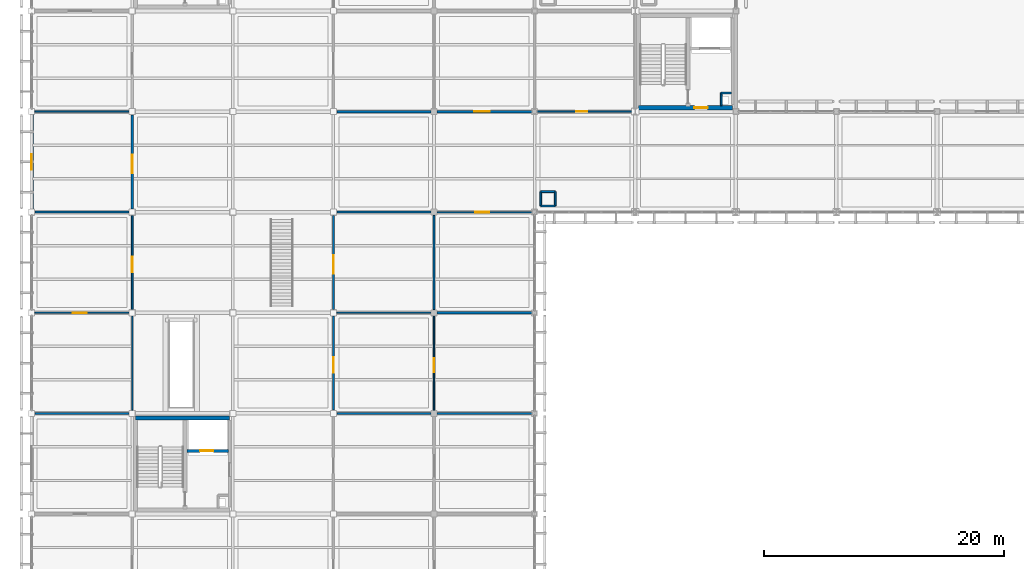
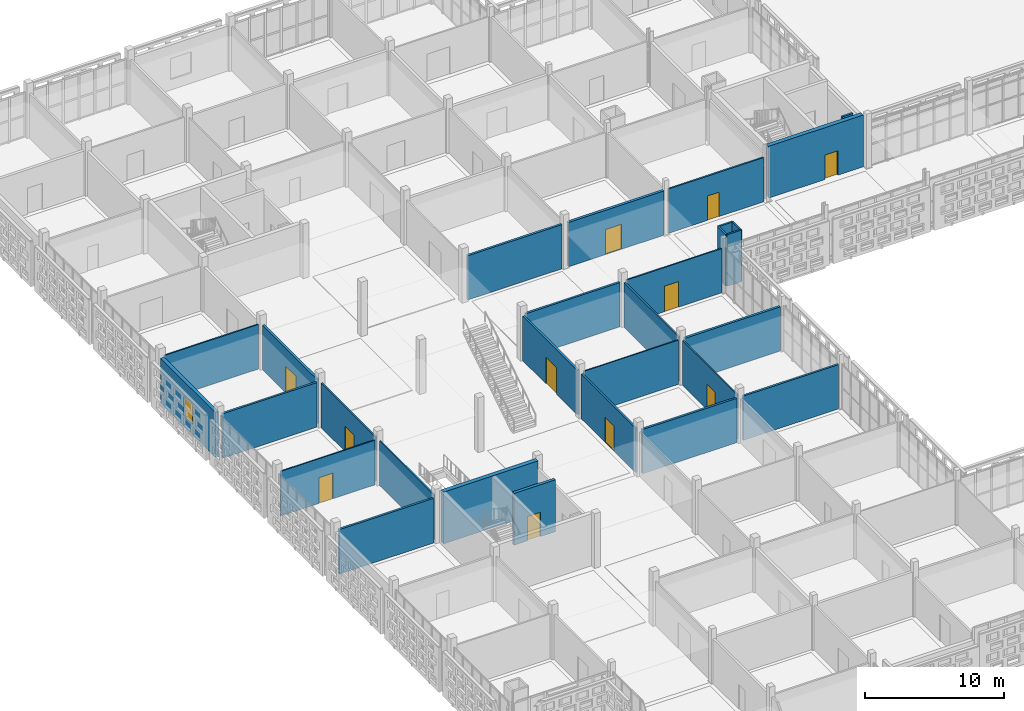
# One storey, part 119 of 203: 30 walls, 11 doors, 1 window, 12 openings.
"""IFC4 building model written with IfcOpenShell, lengths in metres."""

from ifc_helpers import new_model, si_unit, direction, frame, frame_2d, origin, place, context, subcontext, project, spatial, rectangle, extrude, material, layer, layer_set, type_object, element, fill, save


model = new_model("IFC4")

# Units and contexts
model_context = context("Model", 3, precision=1e-05, world=origin(), true_north=direction((0.0, 1.0)))
body_context = subcontext(model_context, "Body", "Model", "MODEL_VIEW")
ifc_project = project(units=[si_unit("LENGTHUNIT", "METRE"), si_unit("AREAUNIT", "SQUARE_METRE"), si_unit("VOLUMEUNIT", "CUBIC_METRE"), si_unit("PLANEANGLEUNIT", "RADIAN"), si_unit("MASSUNIT", "GRAM", prefix="KILO")], contexts=[model_context])

# Site, building, storey
site_placement = place(None, origin())
site = spatial("IfcSite", under=ifc_project, at=site_placement, CompositionType="ELEMENT")
building_placement = place(site_placement, origin())
building = spatial("IfcBuilding", under=site, at=building_placement, Name="Varnapada Polytechnic", CompositionType="ELEMENT")
storey_placement = place(building_placement, frame((0.0, 0.0, 4.800048828125)))
storey = spatial("IfcBuildingStorey", under=building, at=storey_placement, Name="L01", CompositionType="ELEMENT", Elevation=4.800048828125)

# Walls
ifc_material_1 = material(Name="Autoclaved Aerated Concrete Block AAC-600", Category="concrete")
ifc_layer_1 = layer(ifc_material_1, 0.14990234375)
ifc_layer_set_1 = layer_set([ifc_layer_1], Name="Autoclaved Aerated Concrete Block AAC-600")
wall_type_1 = type_object("IfcWallType", Name="Interior Wall IW-02", PredefinedType="PARTITIONING", material=ifc_layer_set_1)
wall_1_placement = place(storey_placement, frame((57.580078125, 93.9599609375, 0.0), z_axis=(0.0, 0.0, 1.0), x_axis=(0.0, -1.0, 0.0)))
element("IfcWall", 1, at=wall_1_placement, inside=storey, type_object=wall_type_1, Name="L01 C4 riser shaft west wall", PredefinedType="PARTITIONING", context=body_context, shape_type="SweptSolid", body=[
    extrude(rectangle(XDim=1.06005859375, YDim=0.14990234375, at=frame_2d((0.530029296875, 0.0))), origin(), (0.0, 0.0, 1.0), 3.919921875),
])
wall_2_placement = place(storey_placement, frame((57.580078125, 93.9599609375, 0.0), z_axis=(0.0, 0.0, 1.0), x_axis=(1.0, 0.0, 0.0)))
element("IfcWall", 2, at=wall_2_placement, inside=storey, type_object=wall_type_1, Name="L01 C4 riser shaft north wall", PredefinedType="PARTITIONING", context=body_context, shape_type="SweptSolid", body=[
    extrude(rectangle(XDim=0.85986328125, YDim=0.14990234375, at=frame_2d((0.429931640625, 0.0))), origin(), (0.0, 0.0, 1.0), 3.919921875),
])
for number, where, z_axis, x_axis, name in (
    (3, (42.52001953125, 84.52001953125, 0.0), (0.0, 0.0, 1.0), (1.0, 0.0, 0.0), "L01 enclosed service riser wall (6,11) S"),
    (4, (43.719970703125, 84.52001953125, 0.0), (0.0, 0.0, 1.0), (0.0, 1.0, 0.0), "L01 enclosed service riser wall (6,11) E"),
    (5, (43.719970703125, 85.719970703125, 0.0), (0.0, 0.0, 1.0), (-1.0, 0.0, 0.0), "L01 enclosed service riser wall (6,11) N"),
    (6, (42.52001953125, 85.719970703125, 0.0), (0.0, 0.0, 1.0), (0.0, -1.0, 0.0), "L01 enclosed service riser wall (6,11) W"),
):
    element("IfcWall", number, at=place(storey_placement, frame(where, z_axis=z_axis, x_axis=x_axis)), inside=storey, type_object=wall_type_1, Name=name, PredefinedType="PARTITIONING", context=body_context, shape_type="SweptSolid", body=[
        extrude(rectangle(XDim=1.199951171875, YDim=0.14990234375, at=frame_2d((0.60009765625, 0.0))), origin(), (0.0, 0.0, 1.0), 4.530029296875),
    ])

# Wall, opening, door
ifc_material_2 = material(Name="Moisture-Resistant Cement Board Partition")
ifc_layer_2 = layer(ifc_material_2, 0.139892578125)
ifc_layer_set_2 = layer_set([ifc_layer_2], Name="Moisture-Resistant Cement Board Partition")
wall_type_2 = type_object("IfcWallType", Name="Interior Wall IW-04", PredefinedType="PARTITIONING", material=ifc_layer_set_2)
wall_3_placement = place(storey_placement, frame((42.18994140625, 92.39990234375, 0.0), z_axis=(0.0, 0.0, 1.0), x_axis=(1.0, 0.0, 0.0)))
wall_3 = element("IfcWall", 7, at=wall_3_placement, inside=storey, type_object=wall_type_2, Name="L01 interior partition IW-L01-05-10-H", PredefinedType="PARTITIONING", context=body_context, shape_type="SweptSolid", body=[
    extrude(rectangle(XDim=7.93994140625, YDim=0.139892578125, at=frame_2d((3.969970703125, 0.0))), origin(), (0.0, 0.0, 1.0), 3.889892578125),
])
opening_1_placement = place(wall_3_placement, frame((3.27490234375, 0.0, 0.0)))
opening_1 = element("IfcOpeningElement", 8, at=opening_1_placement, cuts=wall_3, Name="Opening D-1004", PredefinedType="OPENING", context=body_context, shape_type="SweptSolid", body=[
    extrude(rectangle(XDim=0.949951171875, YDim=2.14990234375, at=frame_2d((0.47509765625, 1.074951171875))), frame((0.0, 0.079833984375, 0.0), z_axis=(0.0, -1.0, 0.0), x_axis=(1.0, 0.0, 0.0)), (0.0, 0.0, 1.0), 0.159912109375),
])
ifc_material_3 = material(Name="Moisture-Resistant HPL Timber", Category="wood")
door_type_1 = type_object("IfcDoorType", Name="Interior Door ID-03", OperationType="NOTDEFINED", PredefinedType="DOOR", material=ifc_material_3)
door_1_placement = place(opening_1_placement, frame((0.949951171875, 0.0, 0.0), z_axis=(0.0, 0.0, 1.0), x_axis=(-1.0, 0.0, 0.0)))
door_1 = element("IfcDoor", 9, at=door_1_placement, inside=storey, type_object=door_type_1, Name="L01 interior room door D-1004", OperationType="SINGLE_SWING_LEFT", OverallHeight=2.14990234375, OverallWidth=0.949951171875, PredefinedType="DOOR", context=body_context, shape_type="SweptSolid", body=[
    extrude(rectangle(XDim=0.949951171875, YDim=2.14990234375, at=frame_2d((0.47509765625, 1.074951171875))), frame((0.0, 0.02490234375, 0.0), z_axis=(0.0, -1.0, 0.0), x_axis=(1.0, 0.0, 0.0)), (0.0, 0.0, 1.0), 0.050048828125),
])
fill(opening_1, door_1)

ifc_material_4 = material(Name="Cross-laminated timber CLT C24", Category="wood")
ifc_layer_3 = layer(ifc_material_4, 0.159912109375)
ifc_layer_set_3 = layer_set([ifc_layer_3], Name="Cross-laminated timber CLT C24")
wall_type_3 = type_object("IfcWallType", Name="Interior Wall IW-05", PredefinedType="PARTITIONING", material=ifc_layer_set_3)
wall_4_placement = place(storey_placement, frame((25.199951171875, 67.47998046875, 0.0), z_axis=(0.0, 0.0, 1.0), x_axis=(0.0, 1.0, 0.0)))
wall_4 = element("IfcWall", 10, at=wall_4_placement, inside=storey, type_object=wall_type_3, Name="L01 interior partition IW-L01-02-08-V", PredefinedType="PARTITIONING", context=body_context, shape_type="SweptSolid", body=[
    extrude(rectangle(XDim=7.840087890625, YDim=0.159912109375, at=frame_2d((3.919921875, 0.0))), origin(), (0.0, 0.0, 1.0), 3.919921875),
])
opening_2_placement = place(wall_4_placement, frame((3.10009765625, 0.0, 0.0)))
opening_2 = element("IfcOpeningElement", 11, at=opening_2_placement, cuts=wall_4, Name="Opening D-978", PredefinedType="OPENING", context=body_context, shape_type="SweptSolid", body=[
    extrude(rectangle(XDim=1.300048828125, YDim=2.199951171875, at=frame_2d((0.64990234375, 1.10009765625))), frame((0.0, 0.08984375, 0.0), z_axis=(0.0, -1.0, 0.0), x_axis=(1.0, 0.0, 0.0)), (0.0, 0.0, 1.0), 0.179931640625),
])
ifc_material_5 = material(Name="Acoustic Laminated Timber Leaf", Category="wood")
door_type_2 = type_object("IfcDoorType", Name="Interior Door ID-11", OperationType="NOTDEFINED", PredefinedType="DOOR", material=ifc_material_5)
door_2_placement = place(opening_2_placement, origin())
door_2 = element("IfcDoor", 12, at=door_2_placement, inside=storey, type_object=door_type_2, Name="L01 interior room door D-978", OperationType="SINGLE_SWING_LEFT", OverallHeight=2.199951171875, OverallWidth=1.300048828125, PredefinedType="DOOR", context=body_context, shape_type="SweptSolid", body=[
    extrude(rectangle(XDim=1.300048828125, YDim=2.199951171875, at=frame_2d((0.64990234375, 1.10009765625))), frame((0.0, 0.02490234375, 0.0), z_axis=(0.0, -1.0, 0.0), x_axis=(1.0, 0.0, 0.0)), (0.0, 0.0, 1.0), 0.050048828125),
])
fill(opening_2, door_2)

# Wall
ifc_material_6 = material(Name="Acoustic Double-Stud Studio Partition")
ifc_layer_4 = layer(ifc_material_6, 0.179931640625)
ifc_layer_set_4 = layer_set([ifc_layer_4], Name="Acoustic Double-Stud Studio Partition")
wall_type_4 = type_object("IfcWallType", Name="Interior Wall IW-06", PredefinedType="PARTITIONING", material=ifc_layer_set_4)
wall_5_placement = place(storey_placement, frame((0.280029296875, 67.199951171875, 0.0), z_axis=(0.0, 0.0, 1.0), x_axis=(1.0, 0.0, 0.0)))
element("IfcWall", 13, at=wall_5_placement, inside=storey, type_object=wall_type_4, Name="L01 interior partition IW-L01-00-07-H", PredefinedType="PARTITIONING", context=body_context, shape_type="SweptSolid", body=[
    extrude(rectangle(XDim=7.840087890625, YDim=0.179931640625, at=frame_2d((3.919921875, 0.0))), origin(), (0.0, 0.0, 1.0), 3.919921875),
])

# Wall, opening, door
wall_6_placement = place(storey_placement, frame((25.199951171875, 75.8798828125, 0.0), z_axis=(0.0, 0.0, 1.0), x_axis=(0.0, 1.0, 0.0)))
wall_6 = element("IfcWall", 14, at=wall_6_placement, inside=storey, type_object=wall_type_4, Name="L01 interior partition IW-L01-02-09-V", PredefinedType="PARTITIONING", context=body_context, shape_type="SweptSolid", body=[
    extrude(rectangle(XDim=7.840087890625, YDim=0.179931640625, at=frame_2d((3.919921875, 0.0))), origin(), (0.0, 0.0, 1.0), 3.919921875),
])
opening_3_placement = place(wall_6_placement, frame((2.97509765625, 0.0, 0.0)))
opening_3 = element("IfcOpeningElement", 15, at=opening_3_placement, cuts=wall_6, Name="Opening D-979", PredefinedType="OPENING", context=body_context, shape_type="SweptSolid", body=[
    extrude(rectangle(XDim=1.550048828125, YDim=2.35009765625, at=frame_2d((0.77490234375, 1.175048828125))), frame((0.0, 0.099853515625, 0.0), z_axis=(0.0, -1.0, 0.0), x_axis=(1.0, 0.0, 0.0)), (0.0, 0.0, 1.0), 0.199951171875),
])
ifc_material_7 = material(Name="Galvanized Steel Z275", Category="steel")
door_type_3 = type_object("IfcDoorType", Name="Interior Door ID-12", OperationType="NOTDEFINED", PredefinedType="DOOR", material=ifc_material_7)
door_3_placement = place(opening_3_placement, origin())
door_3 = element("IfcDoor", 16, at=door_3_placement, inside=storey, type_object=door_type_3, Name="L01 interior room door D-979", OperationType="SINGLE_SWING_RIGHT", OverallHeight=2.35009765625, OverallWidth=1.550048828125, PredefinedType="DOOR", context=body_context, shape_type="SweptSolid", body=[
    extrude(rectangle(XDim=1.550048828125, YDim=2.35009765625, at=frame_2d((0.77490234375, 1.175048828125))), frame((0.0, 0.02490234375, 0.0), z_axis=(0.0, -1.0, 0.0), x_axis=(1.0, 0.0, 0.0)), (0.0, 0.0, 1.0), 0.050048828125),
])
fill(opening_3, door_3)

# Walls
wall_7_placement = place(storey_placement, frame((25.47998046875, 67.199951171875, 0.0), z_axis=(0.0, 0.0, 1.0), x_axis=(1.0, 0.0, 0.0)))
element("IfcWall", 17, at=wall_7_placement, inside=storey, type_object=wall_type_4, Name="L01 interior partition IW-L01-03-07-H", PredefinedType="PARTITIONING", context=body_context, shape_type="SweptSolid", body=[
    extrude(rectangle(XDim=7.85009765625, YDim=0.179931640625, at=frame_2d((3.925048828125, 0.0))), origin(), (0.0, 0.0, 1.0), 3.889892578125),
])
ifc_material_8 = material(Name="Glazed Timber-Framed Studio Screen", Category="wood")
ifc_layer_5 = layer(ifc_material_8, 0.110107421875)
ifc_layer_set_5 = layer_set([ifc_layer_5], Name="Glazed Timber-Framed Studio Screen")
wall_type_5 = type_object("IfcWallType", Name="Interior Wall IW-07", PredefinedType="PARTITIONING", material=ifc_layer_set_5)
wall_8_placement = place(storey_placement, frame((8.39990234375, 67.47998046875, 0.0), z_axis=(0.0, 0.0, 1.0), x_axis=(0.0, 1.0, 0.0)))
element("IfcWall", 18, at=wall_8_placement, inside=storey, type_object=wall_type_5, Name="L01 interior partition IW-L01-00-08-V", PredefinedType="PARTITIONING", context=body_context, shape_type="SweptSolid", body=[
    extrude(rectangle(XDim=7.840087890625, YDim=0.110107421875, at=frame_2d((3.919921875, 0.0))), origin(), (0.0, 0.0, 1.0), 3.919921875),
])

# Wall, opening, door
wall_9_placement = place(storey_placement, frame((33.60009765625, 67.469970703125, 0.0), z_axis=(0.0, 0.0, 1.0), x_axis=(0.0, 1.0, 0.0)))
wall_9 = element("IfcWall", 19, at=wall_9_placement, inside=storey, type_object=wall_type_5, Name="L01 interior partition IW-L01-03-08-V", PredefinedType="PARTITIONING", context=body_context, shape_type="SweptSolid", body=[
    extrude(rectangle(XDim=7.8701171875, YDim=0.110107421875, at=frame_2d((3.93505859375, 0.0))), origin(), (0.0, 0.0, 1.0), 3.919921875),
])
opening_4_placement = place(wall_9_placement, frame((3.14990234375, 0.0, 0.0)))
opening_4 = element("IfcOpeningElement", 20, at=opening_4_placement, cuts=wall_9, Name="Opening D-989", PredefinedType="OPENING", context=body_context, shape_type="SweptSolid", body=[
    extrude(rectangle(XDim=1.199951171875, YDim=2.199951171875, at=frame_2d((0.60009765625, 1.10009765625))), frame((0.0, 0.06494140625, 0.0), z_axis=(0.0, -1.0, 0.0), x_axis=(1.0, 0.0, 0.0)), (0.0, 0.0, 1.0), 0.130126953125),
])
ifc_material_9 = material(Name="Solid Teak Hardwood Timber", Category="wood")
door_type_4 = type_object("IfcDoorType", Name="Interior Door ID-05", OperationType="NOTDEFINED", PredefinedType="DOOR", material=ifc_material_9)
door_4_placement = place(opening_4_placement, frame((1.199951171875, 0.0, 0.0), z_axis=(0.0, 0.0, 1.0), x_axis=(-1.0, 0.0, 0.0)))
door_4 = element("IfcDoor", 21, at=door_4_placement, inside=storey, type_object=door_type_4, Name="L01 interior room door D-989", OperationType="SINGLE_SWING_RIGHT", OverallHeight=2.199951171875, OverallWidth=1.199951171875, PredefinedType="DOOR", context=body_context, shape_type="SweptSolid", body=[
    extrude(rectangle(XDim=1.199951171875, YDim=2.199951171875, at=frame_2d((0.60009765625, 1.10009765625))), frame((0.0, 0.02490234375, 0.0), z_axis=(0.0, -1.0, 0.0), x_axis=(1.0, 0.0, 0.0)), (0.0, 0.0, 1.0), 0.050048828125),
])
fill(opening_4, door_4)

ifc_material_10 = material(Name="Operable Acoustic Seminar Partition")
ifc_layer_6 = layer(ifc_material_10, 0.10009765625)
ifc_layer_set_6 = layer_set([ifc_layer_6], Name="Operable Acoustic Seminar Partition")
wall_type_6 = type_object("IfcWallType", Name="Interior Wall IW-08", PredefinedType="MOVABLE", material=ifc_layer_set_6)
wall_10_placement = place(storey_placement, frame((0.280029296875, 75.60009765625, 0.0), z_axis=(0.0, 0.0, 1.0), x_axis=(1.0, 0.0, 0.0)))
wall_10 = element("IfcWall", 22, at=wall_10_placement, inside=storey, type_object=wall_type_6, Name="L01 interior partition IW-L01-00-08-H", PredefinedType="MOVABLE", context=body_context, shape_type="SweptSolid", body=[
    extrude(rectangle(XDim=7.840087890625, YDim=0.10009765625, at=frame_2d((3.919921875, 0.0))), origin(), (0.0, 0.0, 1.0), 3.919921875),
])
opening_5_placement = place(wall_10_placement, frame((3.175048828125, 0.0, 0.0)))
opening_5 = element("IfcOpeningElement", 23, at=opening_5_placement, cuts=wall_10, Name="Opening D-960", PredefinedType="OPENING", context=body_context, shape_type="SweptSolid", body=[
    extrude(rectangle(XDim=1.14990234375, YDim=2.25, at=frame_2d((0.574951171875, 1.125))), frame((0.0, 0.06005859375, 0.0), z_axis=(0.0, -1.0, 0.0), x_axis=(1.0, 0.0, 0.0)), (0.0, 0.0, 1.0), 0.1201171875),
])
ifc_material_11 = material(Name="Powder-Coated Aluminium 6063-T6", Category="aluminium")
door_type_5 = type_object("IfcDoorType", Name="Interior Door ID-10", OperationType="NOTDEFINED", PredefinedType="DOOR", material=ifc_material_11)
door_5_placement = place(opening_5_placement, origin())
door_5 = element("IfcDoor", 24, at=door_5_placement, inside=storey, type_object=door_type_5, Name="L01 interior room door D-960", OperationType="SINGLE_SWING_LEFT", OverallHeight=2.25, OverallWidth=1.14990234375, PredefinedType="DOOR", context=body_context, shape_type="SweptSolid", body=[
    extrude(rectangle(XDim=1.14990234375, YDim=2.25, at=frame_2d((0.574951171875, 1.125))), frame((0.0, 0.02490234375, 0.0), z_axis=(0.0, -1.0, 0.0), x_axis=(1.0, 0.0, 0.0)), (0.0, 0.0, 1.0), 0.050048828125),
])
fill(opening_5, door_5)

# Wall
wall_11_placement = place(storey_placement, frame((25.47998046875, 75.60009765625, 0.0), z_axis=(0.0, 0.0, 1.0), x_axis=(1.0, 0.0, 0.0)))
element("IfcWall", 25, at=wall_11_placement, inside=storey, type_object=wall_type_6, Name="L01 interior partition IW-L01-03-08-H", PredefinedType="MOVABLE", context=body_context, shape_type="SweptSolid", body=[
    extrude(rectangle(XDim=7.860107421875, YDim=0.10009765625, at=frame_2d((3.93017578125, 0.0))), origin(), (0.0, 0.0, 1.0), 3.889892578125),
])

# Wall, opening, door
ifc_material_12 = material(Name="Calcium Silicate Acoustic Lab Partition")
ifc_layer_7 = layer(ifc_material_12, 0.135009765625)
ifc_layer_set_7 = layer_set([ifc_layer_7], Name="Calcium Silicate Acoustic Lab Partition")
wall_type_7 = type_object("IfcWallType", Name="Interior Wall IW-09", PredefinedType="PARTITIONING", material=ifc_layer_set_7)
wall_12_placement = place(storey_placement, frame((8.39990234375, 75.8798828125, 0.0), z_axis=(0.0, 0.0, 1.0), x_axis=(0.0, 1.0, 0.0)))
wall_12 = element("IfcWall", 26, at=wall_12_placement, inside=storey, type_object=wall_type_7, Name="L01 interior partition IW-L01-00-09-V", PredefinedType="PARTITIONING", context=body_context, shape_type="SweptSolid", body=[
    extrude(rectangle(XDim=7.840087890625, YDim=0.135009765625, at=frame_2d((3.919921875, 0.0))), origin(), (0.0, 0.0, 1.0), 3.919921875),
])
opening_6_placement = place(wall_12_placement, frame((3.10009765625, 0.0, 0.0)))
opening_6 = element("IfcOpeningElement", 27, at=opening_6_placement, cuts=wall_12, Name="Opening D-961", PredefinedType="OPENING", context=body_context, shape_type="SweptSolid", body=[
    extrude(rectangle(XDim=1.300048828125, YDim=2.199951171875, at=frame_2d((0.64990234375, 1.10009765625))), frame((0.0, 0.077392578125, 0.0), z_axis=(0.0, -1.0, 0.0), x_axis=(1.0, 0.0, 0.0)), (0.0, 0.0, 1.0), 0.155029296875),
])
door_6_placement = place(opening_6_placement, origin())
door_6 = element("IfcDoor", 28, at=door_6_placement, inside=storey, type_object=door_type_2, Name="L01 interior room door D-961", OperationType="SINGLE_SWING_RIGHT", OverallHeight=2.199951171875, OverallWidth=1.300048828125, PredefinedType="DOOR", context=body_context, shape_type="SweptSolid", body=[
    extrude(rectangle(XDim=1.300048828125, YDim=2.199951171875, at=frame_2d((0.64990234375, 1.10009765625))), frame((0.0, 0.02490234375, 0.0), z_axis=(0.0, -1.0, 0.0), x_axis=(1.0, 0.0, 0.0)), (0.0, 0.0, 1.0), 0.050048828125),
])
fill(opening_6, door_6)

# Walls
wall_13_placement = place(storey_placement, frame((33.60009765625, 75.860107421875, 0.0), z_axis=(0.0, 0.0, 1.0), x_axis=(0.0, 1.0, 0.0)))
element("IfcWall", 29, at=wall_13_placement, inside=storey, type_object=wall_type_7, Name="L01 interior partition IW-L01-03-09-V", PredefinedType="PARTITIONING", context=body_context, shape_type="SweptSolid", body=[
    extrude(rectangle(XDim=7.869873046875, YDim=0.135009765625, at=frame_2d((3.93505859375, 0.0))), origin(), (0.0, 0.0, 1.0), 3.919921875),
])
ifc_material_13 = material(Name="Double-Layer Fireboard Workshop Wall")
ifc_layer_8 = layer(ifc_material_13, 0.169921875)
ifc_layer_set_8 = layer_set([ifc_layer_8], Name="Double-Layer Fireboard Workshop Wall")
wall_type_8 = type_object("IfcWallType", Name="Interior Wall IW-10", PredefinedType="PARTITIONING", material=ifc_layer_set_8)
wall_14_placement = place(storey_placement, frame((0.280029296875, 84.0, 0.0), z_axis=(0.0, 0.0, 1.0), x_axis=(1.0, 0.0, 0.0)))
element("IfcWall", 30, at=wall_14_placement, inside=storey, type_object=wall_type_8, Name="L01 interior partition IW-L01-00-09-H", PredefinedType="PARTITIONING", context=body_context, shape_type="SweptSolid", body=[
    extrude(rectangle(XDim=7.840087890625, YDim=0.169921875, at=frame_2d((3.919921875, 0.0))), origin(), (0.0, 0.0, 1.0), 3.919921875),
])
wall_15_placement = place(storey_placement, frame((25.47998046875, 84.0, 0.0), z_axis=(0.0, 0.0, 1.0), x_axis=(1.0, 0.0, 0.0)))
element("IfcWall", 31, at=wall_15_placement, inside=storey, type_object=wall_type_8, Name="L01 interior partition IW-L01-03-09-H", PredefinedType="PARTITIONING", context=body_context, shape_type="SweptSolid", body=[
    extrude(rectangle(XDim=7.85009765625, YDim=0.169921875, at=frame_2d((3.925048828125, 0.0))), origin(), (0.0, 0.0, 1.0), 3.889892578125),
])
wall_16_placement = place(storey_placement, frame((33.8701171875, 67.199951171875, 0.0), z_axis=(0.0, 0.0, 1.0), x_axis=(1.0, 0.0, 0.0)))
element("IfcWall", 32, at=wall_16_placement, inside=storey, type_object=wall_type_8, Name="L01 interior partition IW-L01-04-07-H", PredefinedType="PARTITIONING", context=body_context, shape_type="SweptSolid", body=[
    extrude(rectangle(XDim=7.929931640625, YDim=0.169921875, at=frame_2d((3.96484375, 0.0))), origin(), (0.0, 0.0, 1.0), 3.889892578125),
])

# Wall, opening, door
ifc_material_14 = material(Name="Insulated Masonry Plant Room Wall", Category="masonry")
ifc_layer_9 = layer(ifc_material_14, 0.18994140625)
ifc_layer_set_9 = layer_set([ifc_layer_9], Name="Insulated Masonry Plant Room Wall")
wall_type_9 = type_object("IfcWallType", Name="Interior Wall IW-11", PredefinedType="PARTITIONING", material=ifc_layer_set_9)
wall_17_placement = place(storey_placement, frame((8.39990234375, 84.280029296875, 0.0), z_axis=(0.0, 0.0, 1.0), x_axis=(0.0, 1.0, 0.0)))
wall_17 = element("IfcWall", 33, at=wall_17_placement, inside=storey, type_object=wall_type_9, Name="L01 interior partition IW-L01-00-10-V", PredefinedType="PARTITIONING", context=body_context, shape_type="SweptSolid", body=[
    extrude(rectangle(XDim=7.840087890625, YDim=0.18994140625, at=frame_2d((3.919921875, 0.0))), origin(), (0.0, 0.0, 1.0), 3.919921875),
])
opening_7_placement = place(wall_17_placement, frame((2.97509765625, 0.0, 0.0)))
opening_7 = element("IfcOpeningElement", 34, at=opening_7_placement, cuts=wall_17, Name="Opening D-962", PredefinedType="OPENING", context=body_context, shape_type="SweptSolid", body=[
    extrude(rectangle(XDim=1.550048828125, YDim=2.35009765625, at=frame_2d((0.77490234375, 1.175048828125))), frame((0.0, 0.10498046875, 0.0), z_axis=(0.0, -1.0, 0.0), x_axis=(1.0, 0.0, 0.0)), (0.0, 0.0, 1.0), 0.2099609375),
])
door_7_placement = place(opening_7_placement, frame((1.550048828125, 0.0, 0.0), z_axis=(0.0, 0.0, 1.0), x_axis=(-1.0, 0.0, 0.0)))
door_7 = element("IfcDoor", 35, at=door_7_placement, inside=storey, type_object=door_type_3, Name="L01 interior room door D-962", OperationType="SINGLE_SWING_LEFT", OverallHeight=2.35009765625, OverallWidth=1.550048828125, PredefinedType="DOOR", context=body_context, shape_type="SweptSolid", body=[
    extrude(rectangle(XDim=1.550048828125, YDim=2.35009765625, at=frame_2d((0.77490234375, 1.175048828125))), frame((0.0, 0.02490234375, 0.0), z_axis=(0.0, -1.0, 0.0), x_axis=(1.0, 0.0, 0.0)), (0.0, 0.0, 1.0), 0.050048828125),
])
fill(opening_7, door_7)

# Walls
wall_18_placement = place(storey_placement, frame((25.47998046875, 92.39990234375, 0.0), z_axis=(0.0, 0.0, 1.0), x_axis=(1.0, 0.0, 0.0)))
element("IfcWall", 36, at=wall_18_placement, inside=storey, type_object=wall_type_9, Name="L01 interior partition IW-L01-03-10-H", PredefinedType="PARTITIONING", context=body_context, shape_type="SweptSolid", body=[
    extrude(rectangle(XDim=7.860107421875, YDim=0.18994140625, at=frame_2d((3.93017578125, 0.0))), origin(), (0.0, 0.0, 1.0), 3.889892578125),
])
wall_19_placement = place(storey_placement, frame((33.860107421875, 75.60009765625, 0.0), z_axis=(0.0, 0.0, 1.0), x_axis=(1.0, 0.0, 0.0)))
element("IfcWall", 37, at=wall_19_placement, inside=storey, type_object=wall_type_9, Name="L01 interior partition IW-L01-04-08-H", PredefinedType="PARTITIONING", context=body_context, shape_type="SweptSolid", body=[
    extrude(rectangle(XDim=7.949951171875, YDim=0.18994140625, at=frame_2d((3.97509765625, 0.0))), origin(), (0.0, 0.0, 1.0), 3.889892578125),
])
ifc_material_15 = material(Name="Timber-Stud Studio Critique Partition", Category="wood")
ifc_layer_10 = layer(ifc_material_15, 0.114990234375)
ifc_layer_set_10 = layer_set([ifc_layer_10], Name="Timber-Stud Studio Critique Partition")
wall_type_10 = type_object("IfcWallType", Name="Interior Wall IW-12", PredefinedType="PARTITIONING", material=ifc_layer_set_10)
wall_20_placement = place(storey_placement, frame((0.280029296875, 92.39990234375, 0.0), z_axis=(0.0, 0.0, 1.0), x_axis=(1.0, 0.0, 0.0)))
element("IfcWall", 38, at=wall_20_placement, inside=storey, type_object=wall_type_10, Name="L01 interior partition IW-L01-00-10-H", PredefinedType="PARTITIONING", context=body_context, shape_type="SweptSolid", body=[
    extrude(rectangle(XDim=7.840087890625, YDim=0.114990234375, at=frame_2d((3.919921875, 0.0))), origin(), (0.0, 0.0, 1.0), 3.919921875),
])

# Wall, opening, door
wall_21_placement = place(storey_placement, frame((33.8701171875, 84.0, 0.0), z_axis=(0.0, 0.0, 1.0), x_axis=(1.0, 0.0, 0.0)))
wall_21 = element("IfcWall", 39, at=wall_21_placement, inside=storey, type_object=wall_type_10, Name="L01 interior partition IW-L01-04-09-H", PredefinedType="PARTITIONING", context=body_context, shape_type="SweptSolid", body=[
    extrude(rectangle(XDim=7.929931640625, YDim=0.114990234375, at=frame_2d((3.96484375, 0.0))), origin(), (0.0, 0.0, 1.0), 3.889892578125),
])
opening_8_placement = place(wall_21_placement, frame((3.175048828125, 0.0, 0.0)))
opening_8 = element("IfcOpeningElement", 40, at=opening_8_placement, cuts=wall_21, Name="Opening D-994", PredefinedType="OPENING", context=body_context, shape_type="SweptSolid", body=[
    extrude(rectangle(XDim=1.14990234375, YDim=2.25, at=frame_2d((0.574951171875, 1.125))), frame((0.0, 0.0673828125, 0.0), z_axis=(0.0, -1.0, 0.0), x_axis=(1.0, 0.0, 0.0)), (0.0, 0.0, 1.0), 0.135009765625),
])
door_8_placement = place(opening_8_placement, origin())
door_8 = element("IfcDoor", 41, at=door_8_placement, inside=storey, type_object=door_type_5, Name="L01 interior room door D-994", OperationType="SINGLE_SWING_LEFT", OverallHeight=2.25, OverallWidth=1.14990234375, PredefinedType="DOOR", context=body_context, shape_type="SweptSolid", body=[
    extrude(rectangle(XDim=1.14990234375, YDim=2.25, at=frame_2d((0.574951171875, 1.125))), frame((0.0, 0.02490234375, 0.0), z_axis=(0.0, -1.0, 0.0), x_axis=(1.0, 0.0, 0.0)), (0.0, 0.0, 1.0), 0.050048828125),
])
fill(opening_8, door_8)

ifc_material_16 = material(Name="Heavy Acoustic Auditorium Baffle Wall")
ifc_layer_11 = layer(ifc_material_16, 0.219970703125)
ifc_layer_set_11 = layer_set([ifc_layer_11], Name="Heavy Acoustic Auditorium Baffle Wall")
wall_type_11 = type_object("IfcWallType", Name="Interior Wall IW-13", PredefinedType="PARTITIONING", material=ifc_layer_set_11)
wall_22_placement = place(storey_placement, frame((33.860107421875, 92.39990234375, 0.0), z_axis=(0.0, 0.0, 1.0), x_axis=(1.0, 0.0, 0.0)))
wall_22 = element("IfcWall", 42, at=wall_22_placement, inside=storey, type_object=wall_type_11, Name="L01 interior partition IW-L01-04-10-H", PredefinedType="PARTITIONING", context=body_context, shape_type="SweptSolid", body=[
    extrude(rectangle(XDim=7.949951171875, YDim=0.219970703125, at=frame_2d((3.97509765625, 0.0))), origin(), (0.0, 0.0, 1.0), 3.889892578125),
])
opening_9_placement = place(wall_22_placement, frame((3.10009765625, 0.0, 0.0)))
opening_9 = element("IfcOpeningElement", 43, at=opening_9_placement, cuts=wall_22, Name="Opening D-995", PredefinedType="OPENING", context=body_context, shape_type="SweptSolid", body=[
    extrude(rectangle(XDim=1.300048828125, YDim=2.199951171875, at=frame_2d((0.64990234375, 1.10009765625))), frame((0.0, 0.119873046875, 0.0), z_axis=(0.0, -1.0, 0.0), x_axis=(1.0, 0.0, 0.0)), (0.0, 0.0, 1.0), 0.239990234375),
])
door_9_placement = place(opening_9_placement, frame((1.300048828125, 0.0, 0.0), z_axis=(0.0, 0.0, 1.0), x_axis=(-1.0, 0.0, 0.0)))
door_9 = element("IfcDoor", 44, at=door_9_placement, inside=storey, type_object=door_type_2, Name="L01 interior room door D-995", OperationType="SINGLE_SWING_RIGHT", OverallHeight=2.199951171875, OverallWidth=1.300048828125, PredefinedType="DOOR", context=body_context, shape_type="SweptSolid", body=[
    extrude(rectangle(XDim=1.300048828125, YDim=2.199951171875, at=frame_2d((0.64990234375, 1.10009765625))), frame((0.0, 0.02490234375, 0.0), z_axis=(0.0, -1.0, 0.0), x_axis=(1.0, 0.0, 0.0)), (0.0, 0.0, 1.0), 0.050048828125),
])
fill(opening_9, door_9)

# Wall
ifc_material_17 = material(Name="Concrete C40/50", Category="concrete")
ifc_layer_12 = layer(ifc_material_17, 0.35009765625)
ifc_layer_set_12 = layer_set([ifc_layer_12], Name="Concrete C40/50")
wall_type_12 = type_object("IfcWallType", Name="Interior Wall SW-01", PredefinedType="SHEAR", material=ifc_layer_set_12)
wall_23_placement = place(storey_placement, frame((8.6650390625, 66.820068359375, 0.0), z_axis=(0.0, 0.0, 1.0), x_axis=(1.0, 0.0, 0.0)))
element("IfcWall", 45, at=wall_23_placement, inside=storey, type_object=wall_type_12, Name="L01 C2 core north shear wall", PredefinedType="SHEAR", context=body_context, shape_type="SweptSolid", body=[
    extrude(rectangle(XDim=7.875, YDim=0.35009765625, at=frame_2d((3.9375, 0.0))), origin(), (0.0, 0.0, 1.0), 4.56005859375),
])

# Wall, opening, door
wall_24_placement = place(storey_placement, frame((58.5400390625, 92.719970703125, 0.0), z_axis=(0.0, 0.0, 1.0), x_axis=(-1.0, 0.0, 0.0)))
wall_24 = element("IfcWall", 46, at=wall_24_placement, inside=storey, type_object=wall_type_12, Name="L01 C4 core south shear wall", PredefinedType="SHEAR", context=body_context, shape_type="SweptSolid", body=[
    extrude(rectangle(XDim=7.875, YDim=0.35009765625, at=frame_2d((3.9375, 0.0))), origin(), (0.0, 0.0, 1.0), 4.56005859375),
])
opening_10_placement = place(wall_24_placement, frame((2.10009765625, 0.0, 0.0)))
opening_10 = element("IfcOpeningElement", 47, at=opening_10_placement, cuts=wall_24, Name="Opening D-951", PredefinedType="OPENING", context=body_context, shape_type="SweptSolid", body=[
    extrude(rectangle(XDim=1.10009765625, YDim=2.14990234375, at=frame_2d((0.550048828125, 1.074951171875))), frame((0.0, 0.18505859375, 0.0), z_axis=(0.0, -1.0, 0.0), x_axis=(1.0, 0.0, 0.0)), (0.0, 0.0, 1.0), 0.3701171875),
])
door_type_6 = type_object("IfcDoorType", Name="Interior Door ID-01", OperationType="NOTDEFINED", PredefinedType="DOOR", material=ifc_material_7)
door_10_placement = place(opening_10_placement, frame((1.10009765625, 0.0, 0.0), z_axis=(0.0, 0.0, 1.0), x_axis=(-1.0, 0.0, 0.0)))
door_10 = element("IfcDoor", 48, at=door_10_placement, inside=storey, type_object=door_type_6, Name="L01 C4 lobby fire door D-951", OperationType="SINGLE_SWING_LEFT", OverallHeight=2.14990234375, OverallWidth=1.10009765625, PredefinedType="DOOR", context=body_context, shape_type="SweptSolid", body=[
    extrude(rectangle(XDim=1.10009765625, YDim=2.14990234375, at=frame_2d((0.550048828125, 1.074951171875))), frame((0.0, 0.02490234375, 0.0), z_axis=(0.0, -1.0, 0.0), x_axis=(1.0, 0.0, 0.0)), (0.0, 0.0, 1.0), 0.050048828125),
])
fill(opening_10, door_10)

ifc_layer_13 = layer(ifc_material_17, 0.25)
ifc_layer_set_13 = layer_set([ifc_layer_13], Name="Concrete C40/50")
wall_type_13 = type_object("IfcWallType", Name="Interior Wall SW-05", PredefinedType="SHEAR", material=ifc_layer_set_13)
wall_25_placement = place(storey_placement, frame((12.97998046875, 64.080078125, 0.0), z_axis=(0.0, 0.0, 1.0), x_axis=(1.0, 0.0, 0.0)))
wall_25 = element("IfcWall", 49, at=wall_25_placement, inside=storey, type_object=wall_type_13, Name="L01 C2 lift shaft front wall", PredefinedType="SHEAR", context=body_context, shape_type="SweptSolid", body=[
    extrude(rectangle(XDim=3.4599609375, YDim=0.25, at=frame_2d((1.72998046875, 0.0))), origin(), (0.0, 0.0, 1.0), 4.56005859375),
])
opening_11_placement = place(wall_25_placement, frame((1.10009765625, 0.0, 0.0)))
opening_11 = element("IfcOpeningElement", 50, at=opening_11_placement, cuts=wall_25, Name="Opening LD-013", PredefinedType="OPENING", context=body_context, shape_type="SweptSolid", body=[
    extrude(rectangle(XDim=1.10009765625, YDim=2.14990234375, at=frame_2d((0.550048828125, 1.074951171875))), frame((0.0, 0.135009765625, 0.0), z_axis=(0.0, -1.0, 0.0), x_axis=(1.0, 0.0, 0.0)), (0.0, 0.0, 1.0), 0.27001953125),
])
ifc_material_18 = material(Name="Brushed Stainless Steel 316", Category="steel")
door_type_7 = type_object("IfcDoorType", Name="Interior Door LD-01", OperationType="NOTDEFINED", PredefinedType="DOOR", material=ifc_material_18)
door_11_placement = place(opening_11_placement, origin())
door_11 = element("IfcDoor", 51, at=door_11_placement, inside=storey, type_object=door_type_7, Name="L01 LFT-02 sliding lift landing door LD-013", OperationType="DOUBLE_DOOR_SLIDING", OverallHeight=2.14990234375, OverallWidth=1.10009765625, PredefinedType="DOOR", context=body_context, shape_type="SweptSolid", body=[
    extrude(rectangle(XDim=1.10009765625, YDim=2.14990234375, at=frame_2d((0.550048828125, 1.074951171875))), frame((0.0, 0.02490234375, 0.0), z_axis=(0.0, -1.0, 0.0), x_axis=(1.0, 0.0, 0.0)), (0.0, 0.0, 1.0), 0.050048828125),
])
fill(opening_11, door_11)

# Wall, opening, window
ifc_material_19 = material(Name="Precast concrete C40/50", Category="concrete")
ifc_layer_14 = layer(ifc_material_19, 0.300048828125)
ifc_layer_set_14 = layer_set([ifc_layer_14], Name="Precast concrete C40/50")
wall_type_14 = type_object("IfcWallType", Name="Wall EW-01", PredefinedType="SOLIDWALL", material=ifc_layer_set_14)
wall_26_placement = place(storey_placement, frame((0.0, 84.260009765625, 0.0), z_axis=(0.0, 0.0, 1.0), x_axis=(0.0, 1.0, 0.0)))
wall_26 = element("IfcWall", 52, at=wall_26_placement, inside=storey, type_object=wall_type_14, Name="L01 exterior wall EW-01 (7)", PredefinedType="SOLIDWALL", context=body_context, shape_type="SweptSolid", body=[
    extrude(rectangle(XDim=7.8798828125, YDim=0.300048828125, at=frame_2d((3.93994140625, 0.0))), origin(), (0.0, 0.0, 1.0), 3.9599609375),
])
opening_12_placement = place(wall_26_placement, frame((3.2900390625, 0.0, 0.89990234375)))
opening_12 = element("IfcOpeningElement", 53, at=opening_12_placement, cuts=wall_26, Name="Opening WN-09", PredefinedType="OPENING", context=body_context, shape_type="SweptSolid", body=[
    extrude(rectangle(XDim=1.300048828125, YDim=1.75, at=frame_2d((0.64990234375, 0.875))), frame((0.0, 0.159912109375, 0.0), z_axis=(0.0, -1.0, 0.0), x_axis=(1.0, 0.0, 0.0)), (0.0, 0.0, 1.0), 0.320068359375),
])
ifc_material_20 = material(Name="Double low-E laminated glass", Category="glass")
window_type = type_object("IfcWindowType", Name="Window WN-09", PartitioningType="SINGLE_PANEL", PredefinedType="WINDOW", material=ifc_material_20)
window_placement = place(opening_12_placement, origin())
window = element("IfcWindow", 54, at=window_placement, inside=storey, type_object=window_type, Name="L01 window WN-09 (67)", OverallHeight=1.75, OverallWidth=1.300048828125, PartitioningType="SINGLE_PANEL", PredefinedType="WINDOW", context=body_context, shape_type="SweptSolid", body=[
    extrude(rectangle(XDim=1.300048828125, YDim=1.75, at=frame_2d((0.64990234375, 0.875))), frame((0.0, 0.030029296875, 0.0), z_axis=(0.0, -1.0, 0.0), x_axis=(1.0, 0.0, 0.0)), (0.0, 0.0, 1.0), 0.06005859375),
])
fill(opening_12, window)

save(model, "model.ifc")
